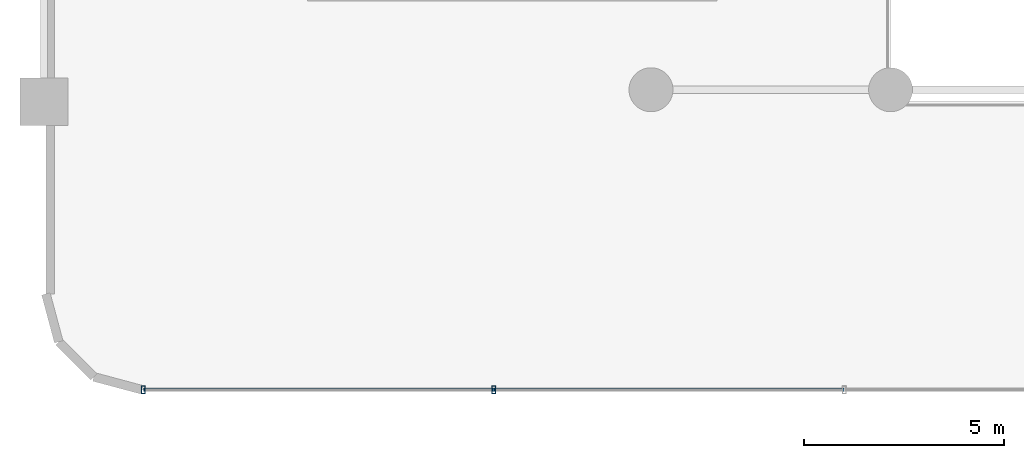
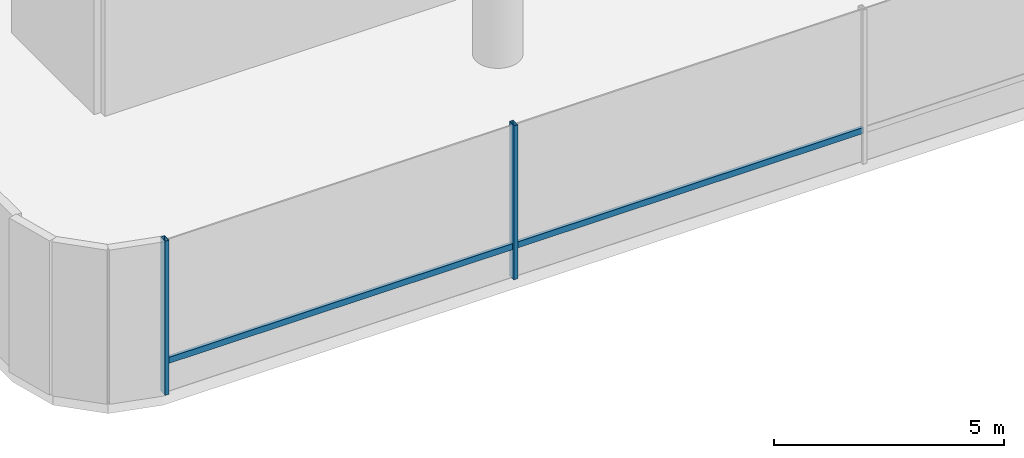
# One storey, part 2 of 23: 4 members, 1 element without a shape of its own.
"""IFC4 building model written with IfcOpenShell, lengths in metres."""

from ifc_helpers import new_model, si_unit, direction, frame, origin, origin_2d, place, context, subcontext, project, spatial, hollow_rectangle, extrude, source, transform, mapped, material, material_profile, profile_set, type_object, element, aggregate, save


model = new_model("IFC4")

# Units and contexts
model_context = context("Model", 3, precision=1e-05, world=origin(), true_north=direction((0.0, 1.0)))
body_context = subcontext(model_context, "Body", "Model", "MODEL_VIEW")
ifc_project = project(units=[si_unit("LENGTHUNIT", "METRE"), si_unit("AREAUNIT", "SQUARE_METRE"), si_unit("VOLUMEUNIT", "CUBIC_METRE"), si_unit("PLANEANGLEUNIT", "RADIAN"), si_unit("MASSUNIT", "GRAM", prefix="KILO")], contexts=[model_context])

# Site, building, storey
site_placement = place(None, origin())
site = spatial("IfcSite", under=ifc_project, at=site_placement, CompositionType="ELEMENT")
building_placement = place(site_placement, origin())
building = spatial("IfcBuilding", under=site, at=building_placement, Name="Sahyath Konkavel Grand Hotel", CompositionType="ELEMENT")
storey_placement = place(building_placement, frame((0.0, 0.0, 4.800048828125)))
storey = spatial("IfcBuildingStorey", under=building, at=storey_placement, Name="L01", CompositionType="ELEMENT", Elevation=4.800048828125)

# Curtain wall, members
ifc_material_1 = material(Name="Anodised Bronze Aluminium & Low-E Glazing", Category="aluminium")
curtain_wall_type = type_object("IfcCurtainWallType", Name="CW-PODIUM", PredefinedType="NOTDEFINED", material=ifc_material_1)
curtain_wall_placement = place(storey_placement, origin())
curtain_wall = element("IfcCurtainWall", 1, at=curtain_wall_placement, inside=storey, type_object=curtain_wall_type, Name="L01 Unitised Curtain Wall S", PredefinedType="NOTDEFINED")
ifc_material_2 = material(Name="Anodised Bronze Aluminium", Category="aluminium")
ifc_material_profile_1 = material_profile(ifc_material_2, hollow_rectangle(XDim=0.10009765625, YDim=0.199951171875, WallThickness=0.008056640625, at=origin_2d()), Name="RHS 200x100x8")
ifc_profile_set_1 = profile_set([ifc_material_profile_1], Name="Anodised Bronze Aluminium")
member_type_1 = type_object("IfcMemberType", Name="CW-MUL-200", PredefinedType="MULLION", material=ifc_profile_set_1)
shared_shape_1 = source(origin(), body_context, "Body", "SweptSolid", [
    extrude(hollow_rectangle(XDim=0.10009765625, YDim=0.199951171875, WallThickness=0.008056640625, at=origin_2d()), origin(), (0.0, 0.0, 1.0), 4.099853515625),
])
member_1_placement = place(storey_placement, frame((-30.7119140625, -24.012939453125, 0.0), z_axis=(0.0, 0.0, 1.0), x_axis=(1.0, 0.0, 0.0)))
member_1 = element("IfcMember", 2, at=member_1_placement, type_object=member_type_1, Name="L01 Curtain Wall Mullion S-0", PredefinedType="MULLION", context=body_context, shape_type="MappedRepresentation", body=[
    mapped(shared_shape_1, transform((0.0, 0.0, 0.0), scale=1.0)),
])
member_2_placement = place(storey_placement, frame((-21.93701171875, -24.012939453125, 0.0), z_axis=(0.0, 0.0, 1.0), x_axis=(1.0, 0.0, 0.0)))
member_2 = element("IfcMember", 3, at=member_2_placement, type_object=member_type_1, Name="L01 Curtain Wall Mullion S-1", PredefinedType="MULLION", context=body_context, shape_type="MappedRepresentation", body=[
    mapped(shared_shape_1, transform((0.0, 0.0, 0.0), scale=1.0)),
])
ifc_material_profile_2 = material_profile(ifc_material_2, hollow_rectangle(XDim=0.080078125, YDim=0.159912109375, WallThickness=0.006103515625, at=origin_2d()), Name="RHS 160x80x6")
ifc_profile_set_2 = profile_set([ifc_material_profile_2], Name="Anodised Bronze Aluminium")
member_type_2 = type_object("IfcMemberType", Name="CW-TRN-160", PredefinedType="USERDEFINED", material=ifc_profile_set_2)
shared_shape_2 = source(origin(), body_context, "Body", "SweptSolid", [
    extrude(hollow_rectangle(XDim=0.080078125, YDim=0.159912109375, WallThickness=0.006103515625, at=origin_2d()), origin(), (0.0, 0.0, 1.0), 8.77490234375),
])
member_3_placement = place(storey_placement, frame((-30.7119140625, -24.012939453125, 0.849853515625), z_axis=(1.0, 0.0, 0.0), x_axis=(0.0, 1.0, 0.0)))
member_3 = element("IfcMember", 4, at=member_3_placement, type_object=member_type_2, Name="L01 Curtain Wall Transom S-0-spandrel", ObjectType="TRANSOM", PredefinedType="USERDEFINED", context=body_context, shape_type="MappedRepresentation", body=[
    mapped(shared_shape_2, transform((0.0, 0.0, 0.0), scale=1.0)),
])
shared_shape_3 = source(origin(), body_context, "Body", "SweptSolid", [
    extrude(hollow_rectangle(XDim=0.080078125, YDim=0.159912109375, WallThickness=0.006103515625, at=origin_2d()), origin(), (0.0, 0.0, 1.0), 8.774658203125),
])
member_4_placement = place(storey_placement, frame((-21.93701171875, -24.012939453125, 0.849853515625), z_axis=(1.0, 0.0, 0.0), x_axis=(0.0, 1.0, 0.0)))
member_4 = element("IfcMember", 5, at=member_4_placement, type_object=member_type_2, Name="L01 Curtain Wall Transom S-1-spandrel", ObjectType="TRANSOM", PredefinedType="USERDEFINED", context=body_context, shape_type="MappedRepresentation", body=[
    mapped(shared_shape_3, transform((0.0, 0.0, 0.0), scale=1.0)),
])
aggregate(curtain_wall, [member_1, member_2, member_3, member_4])

save(model, "model.ifc")
